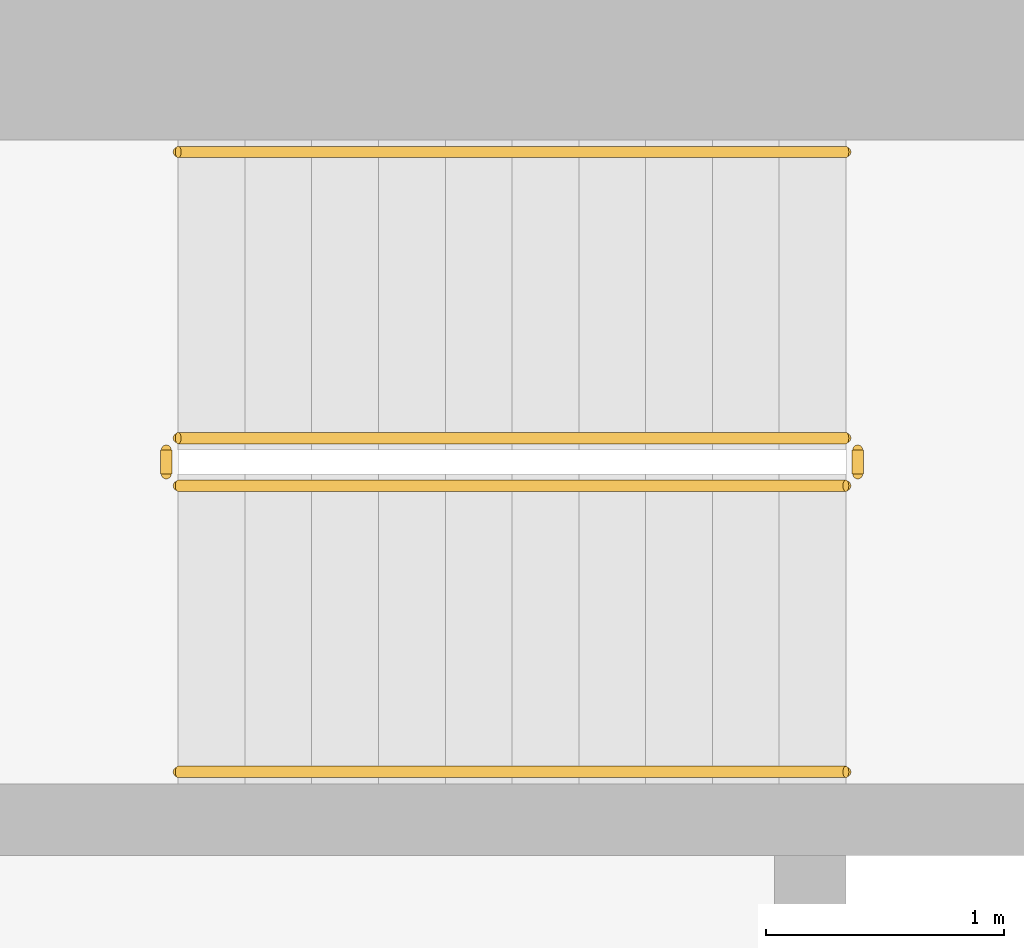
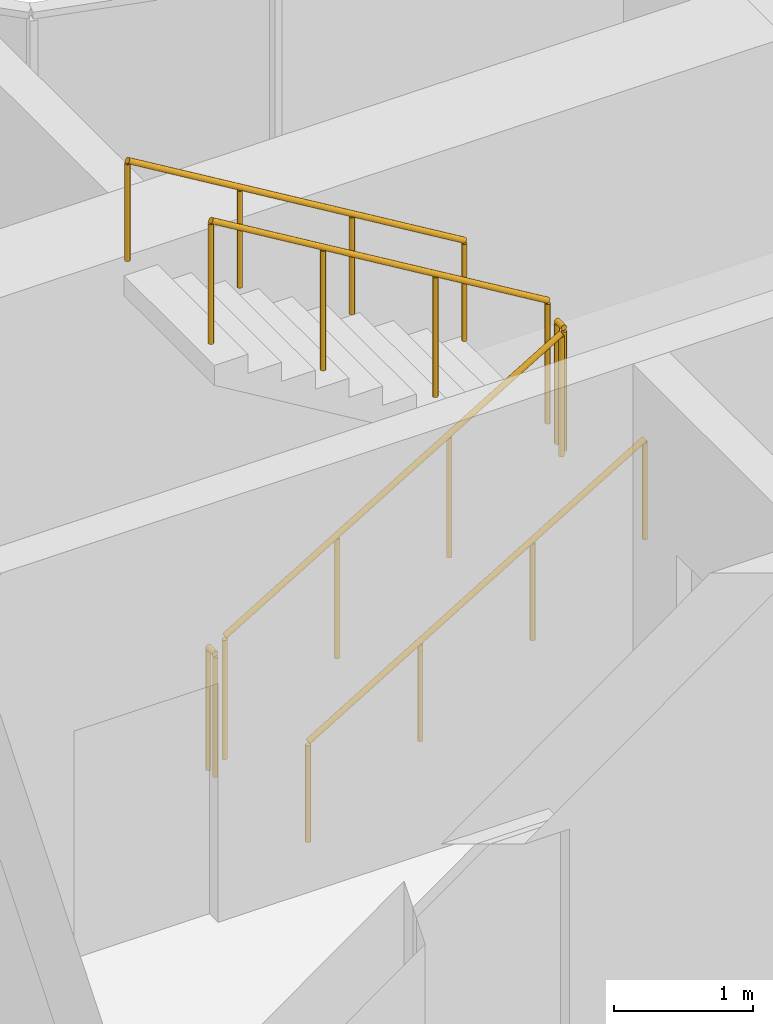
# One storey, part 20 of 23: 6 railings.
"""IFC4 building model written with IfcOpenShell, lengths in metres."""

import ifcopenshell
import ifcopenshell.guid

model = None  # the IFC model being written
_history = None  # IfcOwnerHistory: only IFC2X3 demands one
_inside = {}  # id of a spatial element -> (the spatial element, [elements in it])
_under = {}  # id of a project, library or spatial element -> (it, [spatial elements below it])
_declared = {}  # id of a project -> (the project, [libraries it declares])
_typed = {}  # id of a type object -> (the type object, [elements of that type])
_made_of = {}  # id of a material, layer set ... -> (it, [elements and type objects made of it])


def new_model(schema):
    """Start an empty IFC model of exactly this schema.

    Asked for "IFC4X3", IfcOpenShell would pick the latest addendum, in which some entities
    have other attributes; the version numbers below select the first issue.
    IFC2X3 requires an IfcOwnerHistory on every rooted entity: one is made here for all.
    """
    global model, _history
    if schema == "IFC4X3":
        model = ifcopenshell.file(schema_version=(4, 3, 0, 0))
    else:
        model = ifcopenshell.file(schema=schema)
    _inside.clear()
    _under.clear()
    _declared.clear()
    _typed.clear()
    _made_of.clear()
    _history = None
    if model.schema == "IFC2X3":
        org = make("IfcOrganization", Name="unknown")
        user = make(
            "IfcPersonAndOrganization",
            ThePerson=make("IfcPerson", FamilyName="unknown"),
            TheOrganization=org,
        )
        app = make(
            "IfcApplication",
            ApplicationDeveloper=org,
            Version="unknown",
            ApplicationFullName="unknown",
            ApplicationIdentifier="unknown",
        )
        _history = make(
            "IfcOwnerHistory",
            OwningUser=user,
            OwningApplication=app,
            ChangeAction="ADDED",
            CreationDate=0,
        )
    return model


def make(cls, **values):
    """One entity of the class cls with the attributes given. An attribute that is None is left unset."""
    return model.create_entity(
        cls, **{name: value for name, value in values.items() if value is not None}
    )


def rooted(cls, **values):
    """An entity with a GlobalId (a new one), such as an element, a storey or a relation."""
    return make(cls, GlobalId=ifcopenshell.guid.new(), OwnerHistory=_history, **values)


def si_unit(unit_type, name, prefix=None):
    """IfcSIUnit, for example si_unit("LENGTHUNIT", "METRE", prefix="MILLI")."""
    return make("IfcSIUnit", UnitType=unit_type, Prefix=prefix, Name=name)


def assignment(units):
    """IfcUnitAssignment: the units of a project."""
    return None if units is None else make("IfcUnitAssignment", Units=units)


def point(xyz):
    """IfcCartesianPoint."""
    return None if xyz is None else make("IfcCartesianPoint", Coordinates=xyz)


def direction(xyz):
    """IfcDirection."""
    return None if xyz is None else make("IfcDirection", DirectionRatios=xyz)


def frame(location, z_axis=None, x_axis=None):
    """IfcAxis2Placement3D, a coordinate frame: its origin and axes. An axis left out is left unset."""
    return make(
        "IfcAxis2Placement3D",
        Location=point(location),
        Axis=direction(z_axis),
        RefDirection=direction(x_axis),
    )


def frame_2d(location, x_axis=None):
    """IfcAxis2Placement2D, a coordinate frame in the plane: its origin and x axis."""
    return make(
        "IfcAxis2Placement2D", Location=point(location), RefDirection=direction(x_axis)
    )


def origin():
    """The frame at (0, 0, 0) with its axes left unset."""
    return frame((0.0, 0.0, 0.0))


def origin_2d():
    """The frame at (0, 0) in the plane with its x axis left unset."""
    return frame_2d((0.0, 0.0))


def place(relative_to, where):
    """IfcLocalPlacement: puts the frame where relative to a parent placement (None: the world)."""
    return make(
        "IfcLocalPlacement", PlacementRelTo=relative_to, RelativePlacement=where
    )


def context(
    kind, dimensions, precision=None, world=None, true_north=None, identifier=None
):
    """IfcGeometricRepresentationContext, for example the 3D "Model" context."""
    return make(
        "IfcGeometricRepresentationContext",
        ContextIdentifier=identifier,
        ContextType=kind,
        CoordinateSpaceDimension=dimensions,
        Precision=precision,
        WorldCoordinateSystem=world,
        TrueNorth=true_north,
    )


def subcontext(parent, identifier, kind, view, scale=None):
    """IfcGeometricRepresentationSubContext, for example "Body" below "Model"."""
    return make(
        "IfcGeometricRepresentationSubContext",
        ContextIdentifier=identifier,
        ContextType=kind,
        ParentContext=parent,
        TargetScale=scale,
        TargetView=view,
    )


def project(units=None, contexts=None):
    """IfcProject with its units and contexts."""
    return rooted(
        "IfcProject",
        Name="project",
        RepresentationContexts=contexts,
        UnitsInContext=assignment(units),
    )


def spatial(cls, under=None, at=None, **own):
    """A site, building, storey or space (cls), placed at a placement, below another one or the project."""
    s = rooted(cls, ObjectPlacement=at, **own)
    if under is not None:
        _under.setdefault(under.id(), (under, []))[1].append(s)
    return s


def profile(cls, at=None, kind="AREA", **sizes):
    """A parametric profile (cls). Its sizes go by their IFC names, for example OverallWidth=200.0."""
    return make(cls, ProfileType=kind, Position=at, **sizes)


def circle(**sizes):
    """IfcCircleProfileDef."""
    return profile("IfcCircleProfileDef", **sizes)


def extrude(swept, where, along, depth):
    """IfcExtrudedAreaSolid: the profile swept, set in the frame where, extruded along a direction by depth."""
    return make(
        "IfcExtrudedAreaSolid",
        SweptArea=swept,
        Position=where,
        ExtrudedDirection=direction(along),
        Depth=depth,
    )


def shape(context_of_items, identifier, shape_type, items):
    """IfcShapeRepresentation: the items that make up one representation, for example the "Body"."""
    return make(
        "IfcShapeRepresentation",
        ContextOfItems=context_of_items,
        RepresentationIdentifier=identifier,
        RepresentationType=shape_type,
        Items=items,
    )


def material(Name=None, Category=None):
    """IfcMaterial."""
    return make("IfcMaterial", Name=Name, Category=Category)


def made_of(thing, what):
    """Note that an element or type object is made of a material, layer set ...; save() writes the relation."""
    if what is not None:
        _made_of.setdefault(what.id(), (what, []))[1].append(thing)
    return thing


def type_object(cls, material=None, **own):
    """A type object (cls), such as IfcWallType, which elements share."""
    return made_of(rooted(cls, **own), material)


def element(
    cls,
    number,
    at=None,
    inside=None,
    cuts=None,
    type_object=None,
    material=None,
    context=None,
    identifier="Body",
    shape_type=None,
    held_by="IfcProductDefinitionShape",
    body=None,
    shapes=None,
    **own,
):
    """One element of the class cls, such as IfcWall. Its Tag is "e" and its number.

    at: its placement. inside: the storey or other place that contains it. cuts: it is an
    opening in that element (IfcRelVoidsElement). A single representation is given by context,
    identifier, shape_type and body (its items); several are given by shapes. held_by: the class
    of the entity that holds the representations. save() writes the other relations.
    """
    e = rooted(cls, Tag="e%d" % number, ObjectPlacement=at, **own)
    if body is not None:
        shapes = [shape(context, identifier, shape_type, body)]
    if shapes is not None:
        e.Representation = make(held_by, Representations=shapes)
    if inside is not None:
        _inside.setdefault(inside.id(), (inside, []))[1].append(e)
    if cuts is not None:
        rooted(
            "IfcRelVoidsElement", RelatingBuildingElement=cuts, RelatedOpeningElement=e
        )
    if type_object is not None:
        _typed.setdefault(type_object.id(), (type_object, []))[1].append(e)
    return made_of(e, material)


def aggregate(whole, parts):
    """IfcRelAggregates: a whole, such as a stair, and the parts it consists of."""
    return rooted("IfcRelAggregates", RelatingObject=whole, RelatedObjects=parts)


def save(model, path):
    """Write the relations noted so far, then the file.

    IfcRelAggregates (storeys below a building ...), IfcRelContainedInSpatialStructure (elements
    in a storey), IfcRelDefinesByType, IfcRelAssociatesMaterial and IfcRelDeclares: one each for
    every whole, place, type object, material and project.
    """
    for whole, parts in _under.values():
        aggregate(whole, parts)
    for where, things in _inside.values():
        rooted(
            "IfcRelContainedInSpatialStructure",
            RelatedElements=things,
            RelatingStructure=where,
        )
    for kind, things in _typed.values():
        rooted("IfcRelDefinesByType", RelatedObjects=things, RelatingType=kind)
    for what, things in _made_of.values():
        rooted("IfcRelAssociatesMaterial", RelatedObjects=things, RelatingMaterial=what)
    for by, libraries in _declared.values():
        rooted("IfcRelDeclares", RelatingContext=by, RelatedDefinitions=libraries)
    model.write(path)


model = new_model("IFC4")

# Units and contexts
model_context = context("Model", 3, precision=1e-05, world=origin(), true_north=direction((0.0, 1.0)))
body_context = subcontext(model_context, "Body", "Model", "MODEL_VIEW")
ifc_project = project(units=[si_unit("LENGTHUNIT", "METRE"), si_unit("AREAUNIT", "SQUARE_METRE"), si_unit("VOLUMEUNIT", "CUBIC_METRE"), si_unit("PLANEANGLEUNIT", "RADIAN"), si_unit("MASSUNIT", "GRAM", prefix="KILO")], contexts=[model_context])

# Site, building, storey
site_placement = place(None, origin())
site = spatial("IfcSite", under=ifc_project, at=site_placement, CompositionType="ELEMENT")
building_placement = place(site_placement, origin())
building = spatial("IfcBuilding", under=site, at=building_placement, Name="Ogive Portal Towers", CompositionType="ELEMENT")
storey_placement = place(building_placement, frame((0.0, 0.0, 120.39990234375)))
storey = spatial("IfcBuildingStorey", under=building, at=storey_placement, Name="L29", CompositionType="ELEMENT", Elevation=120.39990234375)

# Railings
ifc_material_1 = material(Name="Stainless steel balustrade", Category="steel")
railing_type_1 = type_object("IfcRailingType", Name="INT-GUARD", PredefinedType="GUARDRAIL", material=ifc_material_1)
railing_1_placement = place(storey_placement, frame((52.550048828125, 37.60009765625, 0.168212890625)))
element("IfcRailing", 1, at=railing_1_placement, inside=storey, type_object=railing_type_1, Name="L29 ST-A2 stair guard 1", PredefinedType="GUARDRAIL", context=body_context, shape_type="SweptSolid", body=[
    extrude(circle(Radius=0.02392578125, at=origin_2d()), frame((0.0, 0.0, 1.076171875), z_axis=(0.857242210791, 0.0, 0.514913383045), x_axis=(0.0, 1.0, 0.0)), (0.0, 0.0, 1.0), 3.266357421875),
    extrude(circle(Radius=0.02099609375, at=origin_2d()), origin(), (0.0, 0.0, 1.0), 1.052001953125),
    extrude(circle(Radius=0.02099609375, at=origin_2d()), frame((0.933349609375, 0.0, 0.560546875)), (0.0, 0.0, 1.0), 1.052001953125),
    extrude(circle(Radius=0.02099609375, at=origin_2d()), frame((1.86669921875, 0.0, 1.121337890625)), (0.0, 0.0, 1.0), 1.052001953125),
    extrude(circle(Radius=0.02099609375, at=origin_2d()), frame((2.800048828125, 0.0, 1.681884765625)), (0.0, 0.0, 1.0), 1.052001953125),
])
railing_2_placement = place(storey_placement, frame((55.39990234375, 37.64990234375, 1.85009765625)))
element("IfcRailing", 2, at=railing_2_placement, inside=storey, type_object=railing_type_1, Name="L29 ST-A2 stair guard 2", PredefinedType="GUARDRAIL", context=body_context, shape_type="SweptSolid", body=[
    extrude(circle(Radius=0.02392578125, at=origin_2d()), frame((0.0, 0.0, 1.076171875), z_axis=(0.0, 1.0, 0.0), x_axis=(-1.0, 0.0, 0.0)), (0.0, 0.0, 1.0), 0.10009765625),
    extrude(circle(Radius=0.02099609375, at=origin_2d()), origin(), (0.0, 0.0, 1.0), 1.052001953125),
    extrude(circle(Radius=0.02099609375, at=origin_2d()), frame((0.0, 0.10009765625, 0.0)), (0.0, 0.0, 1.0), 1.052001953125),
])
railing_3_placement = place(storey_placement, frame((55.35009765625, 37.800048828125, 2.018310546875)))
element("IfcRailing", 3, at=railing_3_placement, inside=storey, type_object=railing_type_1, Name="L29 ST-A2 stair guard 3", PredefinedType="GUARDRAIL", context=body_context, shape_type="SweptSolid", body=[
    extrude(circle(Radius=0.02392578125, at=origin_2d()), frame((0.0, 0.0, 1.076171875), z_axis=(-0.857242210791, 0.0, 0.514913383045), x_axis=(0.0, -1.0, 0.0)), (0.0, 0.0, 1.0), 3.266357421875),
    extrude(circle(Radius=0.02099609375, at=origin_2d()), origin(), (0.0, 0.0, 1.0), 1.052001953125),
    extrude(circle(Radius=0.02099609375, at=origin_2d()), frame((-0.933349609375, 0.0, 0.560546875)), (0.0, 0.0, 1.0), 1.052001953125),
    extrude(circle(Radius=0.02099609375, at=origin_2d()), frame((-1.86669921875, 0.0, 1.121337890625)), (0.0, 0.0, 1.0), 1.052001953125),
    extrude(circle(Radius=0.02099609375, at=origin_2d()), frame((-2.800048828125, 0.0, 1.681884765625)), (0.0, 0.0, 1.0), 1.052001953125),
])
railing_4_placement = place(storey_placement, frame((52.5, 37.64990234375, 0.0)))
element("IfcRailing", 4, at=railing_4_placement, inside=storey, type_object=railing_type_1, Name="L29 ST-A2 stair guard 4", PredefinedType="GUARDRAIL", context=body_context, shape_type="SweptSolid", body=[
    extrude(circle(Radius=0.02392578125, at=origin_2d()), frame((0.0, 0.0, 1.076171875), z_axis=(0.0, 1.0, 0.0), x_axis=(-1.0, 0.0, 0.0)), (0.0, 0.0, 1.0), 0.10009765625),
    extrude(circle(Radius=0.02099609375, at=origin_2d()), origin(), (0.0, 0.0, 1.0), 1.052001953125),
    extrude(circle(Radius=0.02099609375, at=origin_2d()), frame((0.0, 0.10009765625, 0.0)), (0.0, 0.0, 1.0), 1.052001953125),
])
ifc_material_2 = material(Name="Stainless steel handrail", Category="steel")
railing_type_2 = type_object("IfcRailingType", Name="INT-HANDRAIL", PredefinedType="HANDRAIL", material=ifc_material_2)
railing_5_placement = place(storey_placement, frame((52.550048828125, 36.39990234375, 0.168212890625)))
element("IfcRailing", 5, at=railing_5_placement, inside=storey, type_object=railing_type_2, Name="L29 ST-A2 stair handrail 1", PredefinedType="HANDRAIL", context=body_context, shape_type="SweptSolid", body=[
    extrude(circle(Radius=0.02392578125, at=origin_2d()), frame((0.0, 0.0, 0.8759765625), z_axis=(0.857242210791, 0.0, 0.514913383045), x_axis=(0.0, 1.0, 0.0)), (0.0, 0.0, 1.0), 3.266357421875),
    extrude(circle(Radius=0.02099609375, at=origin_2d()), origin(), (0.0, 0.0, 1.0), 0.851806640625),
    extrude(circle(Radius=0.02099609375, at=origin_2d()), frame((0.933349609375, 0.0, 0.560546875)), (0.0, 0.0, 1.0), 0.851806640625),
    extrude(circle(Radius=0.02099609375, at=origin_2d()), frame((1.86669921875, 0.0, 1.121337890625)), (0.0, 0.0, 1.0), 0.851806640625),
    extrude(circle(Radius=0.02099609375, at=origin_2d()), frame((2.800048828125, 0.0, 1.681884765625)), (0.0, 0.0, 1.0), 0.851806640625),
])
railing_6_placement = place(storey_placement, frame((55.35009765625, 39.0, 2.018310546875)))
element("IfcRailing", 6, at=railing_6_placement, inside=storey, type_object=railing_type_2, Name="L29 ST-A2 stair handrail 2", PredefinedType="HANDRAIL", context=body_context, shape_type="SweptSolid", body=[
    extrude(circle(Radius=0.02392578125, at=origin_2d()), frame((0.0, 0.0, 0.8759765625), z_axis=(-0.857242210791, 0.0, 0.514913383045), x_axis=(0.0, -1.0, 0.0)), (0.0, 0.0, 1.0), 3.266357421875),
    extrude(circle(Radius=0.02099609375, at=origin_2d()), origin(), (0.0, 0.0, 1.0), 0.851806640625),
    extrude(circle(Radius=0.02099609375, at=origin_2d()), frame((-0.933349609375, 0.0, 0.560546875)), (0.0, 0.0, 1.0), 0.851806640625),
    extrude(circle(Radius=0.02099609375, at=origin_2d()), frame((-1.86669921875, 0.0, 1.121337890625)), (0.0, 0.0, 1.0), 0.851806640625),
    extrude(circle(Radius=0.02099609375, at=origin_2d()), frame((-2.800048828125, 0.0, 1.681884765625)), (0.0, 0.0, 1.0), 0.851806640625),
])

save(model, "model.ifc")
